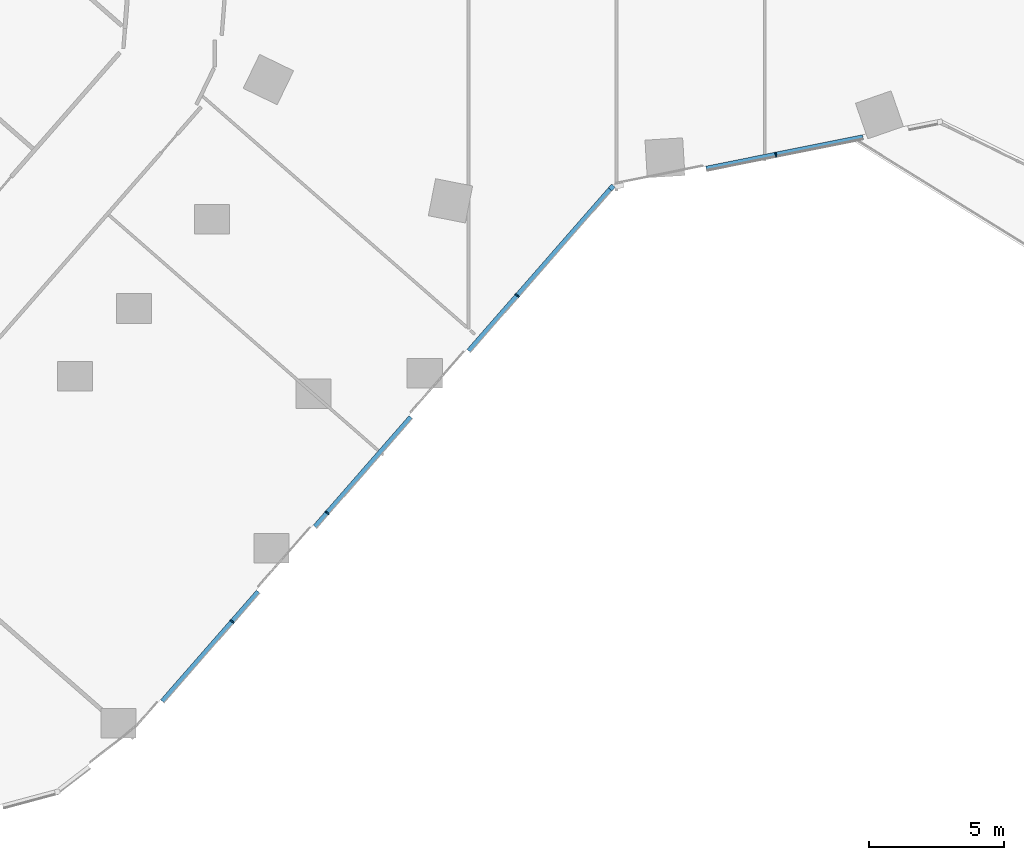
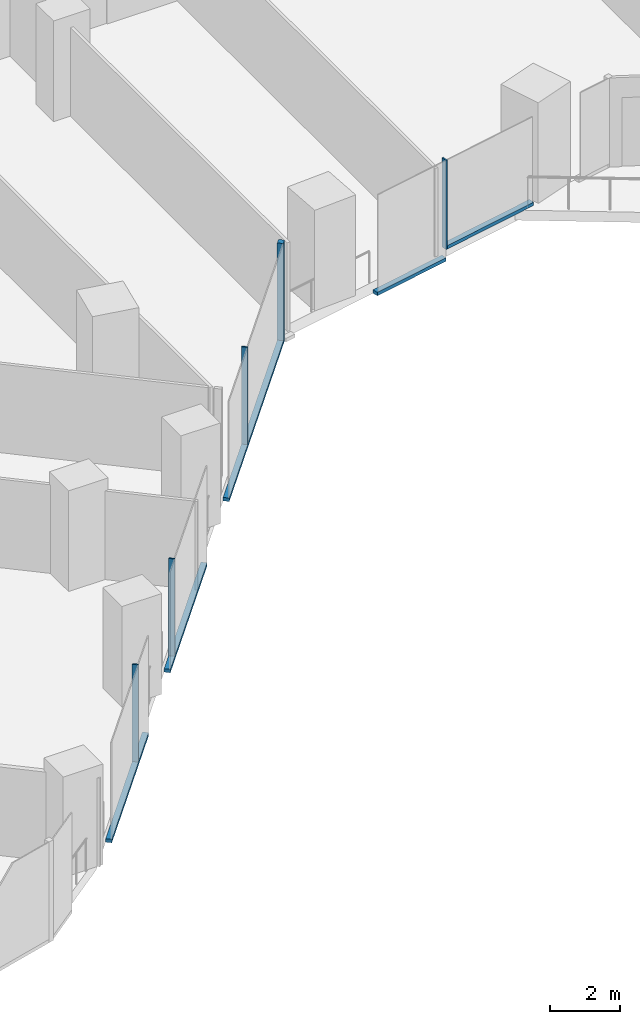
# One storey, part 4 of 32: 10 members, 2 elements without a shape of their own.
"""IFC4 building model written with IfcOpenShell, lengths in metres."""

from ifc_helpers import new_model, si_unit, direction, frame, origin, origin_2d, place, context, subcontext, project, spatial, rectangle, extrude, material, material_profile, profile_set, type_object, element, aggregate, save


model = new_model("IFC4")

# Units and contexts
model_context = context("Model", 3, precision=1e-05, world=origin(), true_north=direction((0.0, 1.0)))
body_context = subcontext(model_context, "Body", "Model", "MODEL_VIEW")
ifc_project = project(units=[si_unit("LENGTHUNIT", "METRE"), si_unit("AREAUNIT", "SQUARE_METRE"), si_unit("VOLUMEUNIT", "CUBIC_METRE"), si_unit("PLANEANGLEUNIT", "RADIAN"), si_unit("MASSUNIT", "GRAM", prefix="KILO")], contexts=[model_context])

# Site, building, storey
site_placement = place(None, origin())
site = spatial("IfcSite", under=ifc_project, at=site_placement, CompositionType="ELEMENT")
building_placement = place(site_placement, origin())
building = spatial("IfcBuilding", under=site, at=building_placement, Name="Orlundy Tower", CompositionType="ELEMENT")
storey_placement = place(building_placement, frame((0.0, 0.0, 58.800048828125)))
storey = spatial("IfcBuildingStorey", under=building, at=storey_placement, Name="L13", CompositionType="ELEMENT", Elevation=58.800048828125)

# Curtain wall, member
ifc_material_1 = material(Name="Aluminium bronze anodised", Category="aluminium")
curtain_wall_type = type_object("IfcCurtainWallType", Name="CW1 wall", PredefinedType="NOTDEFINED", material=ifc_material_1)
curtain_wall_1_placement = place(storey_placement, origin())
curtain_wall_1 = element("IfcCurtainWall", 1, at=curtain_wall_1_placement, inside=storey, type_object=curtain_wall_type, Name="CW1 run 02", PredefinedType="NOTDEFINED")
ifc_material_2 = material(Name="Aluminium bronze anodised", Category="aluminium")
ifc_material_profile_1 = material_profile(ifc_material_2, rectangle(XDim=0.179931640625, YDim=0.179931640625, at=origin_2d()), Name="CW1 corner post 180x180")
ifc_profile_set_1 = profile_set([ifc_material_profile_1], Name="Aluminium bronze anodised")
member_type_1 = type_object("IfcMemberType", Name="CW1 corner post 180x180", PredefinedType="MULLION", material=ifc_profile_set_1)
member_1_placement = place(storey_placement, frame((-0.178466796875, -30.72412109375, -0.400146484375), z_axis=(0.0, 0.0, 1.0), x_axis=(0.752791745563, -0.658258754452, 0.0)))
member_1 = element("IfcMember", 2, at=member_1_placement, type_object=member_type_1, Name="CW1 mullion 9", PredefinedType="MULLION", context=body_context, shape_type="SweptSolid", body=[
    extrude(rectangle(XDim=0.179931640625, YDim=0.179931640625, at=origin_2d()), origin(), (0.0, 0.0, 1.0), 3.5),
])

curtain_wall_2_placement = place(storey_placement, origin())
curtain_wall_2 = element("IfcCurtainWall", 3, at=curtain_wall_2_placement, inside=storey, type_object=curtain_wall_type, Name="CW1 run 01", PredefinedType="NOTDEFINED")
ifc_material_3 = material(Name="Aluminium bronze anodised", Category="aluminium")
ifc_material_profile_2 = material_profile(ifc_material_3, rectangle(XDim=0.179931640625, YDim=0.050048828125, at=origin_2d()), Name="CW1 mullion 50x180")
ifc_profile_set_2 = profile_set([ifc_material_profile_2], Name="Aluminium bronze anodised")
member_type_2 = type_object("IfcMemberType", Name="CW1 mullion 50x180", PredefinedType="MULLION", material=ifc_profile_set_2)
member_2_placement = place(storey_placement, frame((5.9130859375, -29.503173828125, 0.0), z_axis=(0.0, 0.0, 1.0), x_axis=(0.196531950572, -0.980497420907, 0.0)))
member_2 = element("IfcMember", 4, at=member_2_placement, type_object=member_type_2, Name="CW1 mullion 8", PredefinedType="MULLION", context=body_context, shape_type="SweptSolid", body=[
    extrude(rectangle(XDim=0.179931640625, YDim=0.050048828125, at=origin_2d()), origin(), (0.0, 0.0, 1.0), 3.099853515625),
])

# Member
member_3_placement = place(storey_placement, frame((-3.6845703125, -34.73388671875, -0.400146484375), z_axis=(0.0, 0.0, 1.0), x_axis=(0.752791745563, -0.658258754452, 0.0)))
member_3 = element("IfcMember", 5, at=member_3_placement, type_object=member_type_2, Name="CW1 mullion 10", PredefinedType="MULLION", context=body_context, shape_type="SweptSolid", body=[
    extrude(rectangle(XDim=0.179931640625, YDim=0.050048828125, at=origin_2d()), origin(), (0.0, 0.0, 1.0), 3.5),
])

member_4_placement = place(storey_placement, frame((-10.73681640625, -42.799072265625, -0.400146484375), z_axis=(0.0, 0.0, 1.0), x_axis=(0.752791745563, -0.658258754452, 0.0)))
member_4 = element("IfcMember", 6, at=member_4_placement, type_object=member_type_2, Name="CW1 mullion 12", PredefinedType="MULLION", context=body_context, shape_type="SweptSolid", body=[
    extrude(rectangle(XDim=0.179931640625, YDim=0.050048828125, at=origin_2d()), origin(), (0.0, 0.0, 1.0), 3.5),
])

member_5_placement = place(storey_placement, frame((-14.262939453125, -46.83154296875, -0.400146484375), z_axis=(0.0, 0.0, 1.0), x_axis=(0.752791745563, -0.658258754452, 0.0)))
member_5 = element("IfcMember", 7, at=member_5_placement, type_object=member_type_2, Name="CW1 mullion 13", PredefinedType="MULLION", context=body_context, shape_type="SweptSolid", body=[
    extrude(rectangle(XDim=0.179931640625, YDim=0.050048828125, at=origin_2d()), origin(), (0.0, 0.0, 1.0), 3.5),
])

ifc_material_4 = material(Name="Aluminium bronze anodised", Category="aluminium")
ifc_material_profile_3 = material_profile(ifc_material_4, rectangle(XDim=0.179931640625, YDim=0.1201171875, at=origin_2d()), Name="CW1 transom 180x120")
ifc_profile_set_3 = profile_set([ifc_material_profile_3], Name="Aluminium bronze anodised")
member_type_3 = type_object("IfcMemberType", Name="CW1 transom 180x120", PredefinedType="USERDEFINED", material=ifc_profile_set_3)
member_6_placement = place(storey_placement, frame((9.145751953125, -28.855224609375, 0.06005859375), z_axis=(-0.980494482275, -0.19654661083, 0.0), x_axis=(0.19654661083, -0.980494482275, 0.0)))
member_6 = element("IfcMember", 8, at=member_6_placement, type_object=member_type_3, Name="CW1 transom", ObjectType="TRANSOM", PredefinedType="USERDEFINED", context=body_context, shape_type="SweptSolid", body=[
    extrude(rectangle(XDim=0.179931640625, YDim=0.1201171875, at=origin_2d()), origin(), (0.0, 0.0, 1.0), 3.271728515625),
])

member_7_placement = place(storey_placement, frame((5.888671875, -29.508056640625, -0.340087890625), z_axis=(-0.98048708665, -0.196583501118, 0.0), x_axis=(0.196583501118, -0.98048708665, 0.0)))
member_7 = element("IfcMember", 9, at=member_7_placement, type_object=member_type_3, Name="CW1 transom", ObjectType="TRANSOM", PredefinedType="USERDEFINED", context=body_context, shape_type="SweptSolid", body=[
    extrude(rectangle(XDim=0.179931640625, YDim=0.1201171875, at=origin_2d()), origin(), (0.0, 0.0, 1.0), 2.61181640625),
])

aggregate(curtain_wall_2, [member_2, member_6, member_7])

member_8_placement = place(storey_placement, frame((-0.237548828125, -30.7919921875, -0.340087890625), z_axis=(-0.65825935406, -0.752791221251, 0.0), x_axis=(0.752791221251, -0.65825935406, 0.0)))
member_8 = element("IfcMember", 10, at=member_8_placement, type_object=member_type_3, Name="CW1 transom", ObjectType="TRANSOM", PredefinedType="USERDEFINED", context=body_context, shape_type="SweptSolid", body=[
    extrude(rectangle(XDim=0.179931640625, YDim=0.1201171875, at=origin_2d()), origin(), (0.0, 0.0, 1.0), 7.96484375),
])

member_9_placement = place(storey_placement, frame((-7.633056640625, -39.24951171875, -0.340087890625), z_axis=(-0.658258117851, -0.752792302221, 0.0), x_axis=(0.752792302221, -0.658258117851, 0.0)))
member_9 = element("IfcMember", 11, at=member_9_placement, type_object=member_type_3, Name="CW1 transom", ObjectType="TRANSOM", PredefinedType="USERDEFINED", context=body_context, shape_type="SweptSolid", body=[
    extrude(rectangle(XDim=0.179931640625, YDim=0.1201171875, at=origin_2d()), origin(), (0.0, 0.0, 1.0), 5.400146484375),
])

member_10_placement = place(storey_placement, frame((-13.295654296875, -45.725341796875, -0.340087890625), z_axis=(-0.658264782233, -0.752786474687, 0.0), x_axis=(0.752786474687, -0.658264782233, 0.0)))
member_10 = element("IfcMember", 12, at=member_10_placement, type_object=member_type_3, Name="CW1 transom", ObjectType="TRANSOM", PredefinedType="USERDEFINED", context=body_context, shape_type="SweptSolid", body=[
    extrude(rectangle(XDim=0.179931640625, YDim=0.1201171875, at=origin_2d()), origin(), (0.0, 0.0, 1.0), 5.406005859375),
])

aggregate(curtain_wall_1, [member_1, member_3, member_4, member_5, member_8, member_9, member_10])

save(model, "model.ifc")
